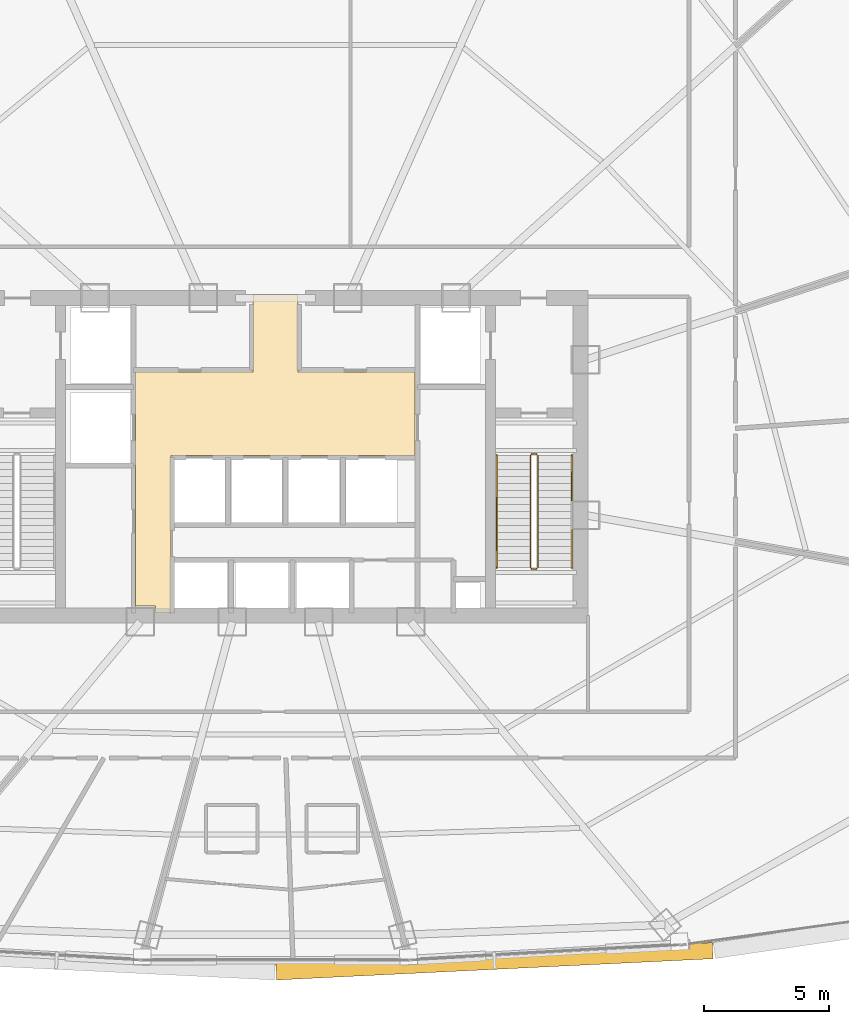
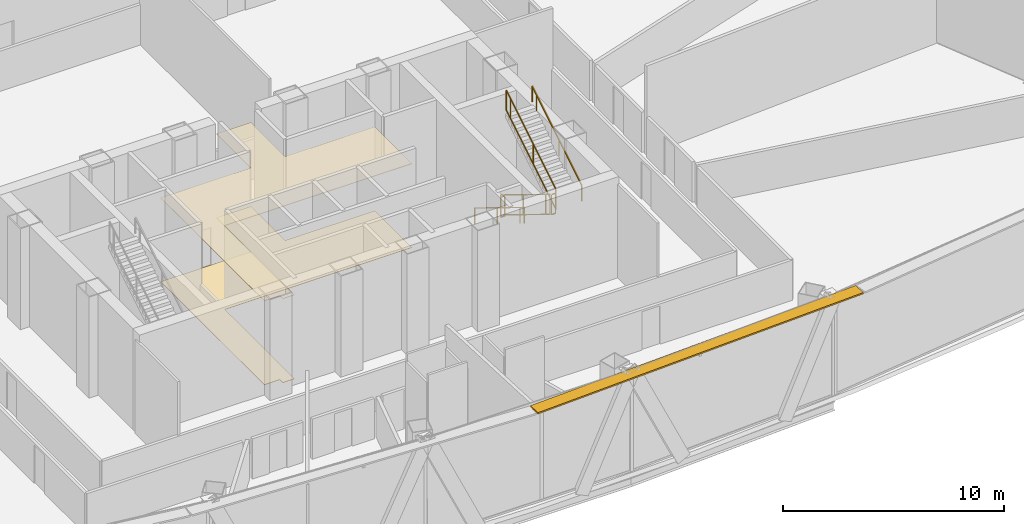
# One storey, part 38 of 40: 6 railings, 2 coverings, 1 shading device.
"""IFC4 building model written with IfcOpenShell, lengths in metres."""

from ifc_helpers import new_model, si_unit, direction, frame, origin, origin_2d, place, context, subcontext, project, spatial, polyline, rectangle, outline, extrude, source, transform, mapped, material, layer, layer_set, type_object, element, save


model = new_model("IFC4")

# Units and contexts
model_context = context("Model", 3, precision=1e-05, world=origin(), true_north=direction((0.0, 1.0)))
body_context = subcontext(model_context, "Body", "Model", "MODEL_VIEW")
ifc_project = project(units=[si_unit("LENGTHUNIT", "METRE"), si_unit("AREAUNIT", "SQUARE_METRE"), si_unit("VOLUMEUNIT", "CUBIC_METRE"), si_unit("PLANEANGLEUNIT", "RADIAN"), si_unit("MASSUNIT", "GRAM", prefix="KILO"), si_unit("THERMODYNAMICTEMPERATUREUNIT", "KELVIN"), si_unit("POWERUNIT", "WATT")], contexts=[model_context])

# Site, building, storey
site_placement = place(None, origin())
site = spatial("IfcSite", under=ifc_project, at=site_placement, CompositionType="ELEMENT")
building_placement = place(site_placement, origin())
building = spatial("IfcBuilding", under=site, at=building_placement, Name="Yunzhuo Pagoda Commons", CompositionType="ELEMENT")
storey_placement = place(building_placement, frame((0.0, 0.0, 170.31005859375)))
storey = spatial("IfcBuildingStorey", under=building, at=storey_placement, Name="L43", CompositionType="ELEMENT", Elevation=170.31005859375)

# Coverings
ifc_material_1 = material(Name="Perforated gypsum acoustic ceiling tile")
ifc_layer_1 = layer(ifc_material_1, 0.030029296875)
ifc_layer_set_1 = layer_set([ifc_layer_1], Name="Perforated gypsum acoustic ceiling tile")
covering_type_1 = type_object("IfcCoveringType", Name="COV-CL2 Ceiling 30", PredefinedType="CEILING", material=ifc_layer_set_1)
covering_1_placement = place(storey_placement, frame((0.0, 0.0, 4.619873046875)))
element("IfcCovering", 1, at=covering_1_placement, inside=storey, type_object=covering_type_1, Name="L43 lift lobby acoustic ceiling", PredefinedType="CEILING", context=body_context, shape_type="SweptSolid", body=[
    extrude(outline(polyline([(43.207763671875, 27.85009765625), (43.201904296875, 27.864013671875), (43.187744140625, 27.8701171875), (42.39990234375, 27.8701171875), (42.39990234375, 33.89990234375), (42.39990234375, 37.25), (47.10009765625, 37.25), (47.10009765625, 40.35009765625), (48.89990234375, 40.35009765625), (48.89990234375, 37.25), (53.580078125, 37.25), (53.580078125, 33.89990234375), (43.820068359375, 33.89990234375), (43.820068359375, 27.60009765625), (43.207763671875, 27.60009765625), (43.207763671875, 27.85009765625)])), origin(), (0.0, 0.0, 1.0), 0.030029296875),
])
ifc_material_2 = material(Name="Porcelain ceramic floor tile")
ifc_layer_2 = layer(ifc_material_2, 0.02001953125)
ifc_layer_set_2 = layer_set([ifc_layer_2], Name="Porcelain ceramic floor tile")
covering_type_2 = type_object("IfcCoveringType", Name="COV-FL1 Flooring 20", PredefinedType="FLOORING", material=ifc_layer_set_2)
covering_2_placement = place(storey_placement, origin())
element("IfcCovering", 2, at=covering_2_placement, inside=storey, type_object=covering_type_2, Name="L43 lift lobby flooring", PredefinedType="FLOORING", context=body_context, shape_type="SweptSolid", body=[
    extrude(outline(polyline([(43.207763671875, 27.85009765625), (43.201904296875, 27.864013671875), (43.187744140625, 27.8701171875), (42.39990234375, 27.8701171875), (42.39990234375, 33.89990234375), (42.39990234375, 37.25), (47.10009765625, 37.25), (47.10009765625, 40.35009765625), (48.89990234375, 40.35009765625), (48.89990234375, 37.25), (53.580078125, 37.25), (53.580078125, 33.89990234375), (43.820068359375, 33.89990234375), (43.820068359375, 27.60009765625), (43.207763671875, 27.60009765625), (43.207763671875, 27.85009765625)])), origin(), (0.0, 0.0, 1.0), 0.02001953125),
])

# Railings
ifc_material_3 = material(Name="Anodized aluminium 6063-T6", Category="aluminium")
railing_type_1 = type_object("IfcRailingType", Name="GR-ST2 Stair Well Guardrail 1160", PredefinedType="GUARDRAIL", material=ifc_material_3)
railing_1_placement = place(storey_placement, frame((58.199951171875, 33.89990234375, 0.172119140625)))
element("IfcRailing", 3, at=railing_1_placement, inside=storey, type_object=railing_type_1, Name="L43 ST2 stair guard 1", PredefinedType="GUARDRAIL", context=body_context, shape_type="SweptSolid", body=[
    extrude(rectangle(XDim=0.048095703125, YDim=0.048095703125, at=origin_2d()), frame((0.0, 0.0, 1.1259765625), z_axis=(0.0, -0.851996104429, 0.523548123899), x_axis=(1.0, 0.0, 0.0)), (0.0, 0.0, 1.0), 5.25830078125),
    extrude(rectangle(XDim=0.048095703125, YDim=0.048095703125, at=origin_2d()), frame((0.0, 0.0, 0.02392578125), z_axis=(0.0, -0.851996104429, 0.523548123899), x_axis=(1.0, 0.0, 0.0)), (0.0, 0.0, 1.0), 5.25830078125),
    extrude(rectangle(XDim=0.0419921875, YDim=0.0419921875, at=origin_2d()), origin(), (0.0, 0.0, 1.0), 1.101806640625),
    extrude(rectangle(XDim=0.0419921875, YDim=0.0419921875, at=origin_2d()), frame((0.0, -2.044677734375, 1.256591796875)), (0.0, 0.0, 1.0), 1.101806640625),
    extrude(rectangle(XDim=0.0419921875, YDim=0.0419921875, at=origin_2d()), frame((0.0, -4.089599609375, 2.512939453125)), (0.0, 0.0, 1.0), 1.101806640625),
    extrude(rectangle(XDim=0.0419921875, YDim=0.0419921875, at=origin_2d()), frame((0.0, -4.47998046875, 2.7529296875)), (0.0, 0.0, 1.0), 1.101806640625),
])
railing_2_placement = place(storey_placement, frame((58.25, 29.3701171875, 2.925048828125)))
element("IfcRailing", 4, at=railing_2_placement, inside=storey, type_object=railing_type_1, Name="L43 ST2 stair guard 2", PredefinedType="GUARDRAIL", context=body_context, shape_type="SweptSolid", body=[
    extrude(rectangle(XDim=0.048095703125, YDim=0.048095703125, at=origin_2d()), frame((0.0, 0.0, 1.1259765625), z_axis=(1.0, 0.0, 0.0), x_axis=(0.0, 1.0, 0.0)), (0.0, 0.0, 1.0), 0.199951171875),
    extrude(rectangle(XDim=0.048095703125, YDim=0.048095703125, at=origin_2d()), frame((0.0, 0.0, 0.02392578125), z_axis=(1.0, 0.0, 0.0), x_axis=(0.0, 1.0, 0.0)), (0.0, 0.0, 1.0), 0.199951171875),
    extrude(rectangle(XDim=0.0419921875, YDim=0.0419921875, at=origin_2d()), origin(), (0.0, 0.0, 1.0), 1.101806640625),
    extrude(rectangle(XDim=0.0419921875, YDim=0.0419921875, at=origin_2d()), frame((0.199951171875, 0.0, 0.0)), (0.0, 0.0, 1.0), 1.101806640625),
])
railing_3_placement = place(storey_placement, frame((58.5, 29.419921875, 3.096923828125)))
element("IfcRailing", 5, at=railing_3_placement, inside=storey, type_object=railing_type_1, Name="L43 ST2 stair guard 3", PredefinedType="GUARDRAIL", context=body_context, shape_type="SweptSolid", body=[
    extrude(rectangle(XDim=0.048095703125, YDim=0.048095703125, at=origin_2d()), frame((0.0, 0.0, 1.1259765625), z_axis=(0.0, 0.851996104429, 0.523548123899), x_axis=(-1.0, 0.0, 0.0)), (0.0, 0.0, 1.0), 5.25830078125),
    extrude(rectangle(XDim=0.048095703125, YDim=0.048095703125, at=origin_2d()), frame((0.0, 0.0, 0.02392578125), z_axis=(0.0, 0.851996104429, 0.523548123899), x_axis=(-1.0, 0.0, 0.0)), (0.0, 0.0, 1.0), 5.25830078125),
    extrude(rectangle(XDim=0.0419921875, YDim=0.0419921875, at=origin_2d()), origin(), (0.0, 0.0, 1.0), 1.101806640625),
    extrude(rectangle(XDim=0.0419921875, YDim=0.0419921875, at=origin_2d()), frame((0.0, 2.044677734375, 1.256591796875)), (0.0, 0.0, 1.0), 1.101806640625),
    extrude(rectangle(XDim=0.0419921875, YDim=0.0419921875, at=origin_2d()), frame((0.0, 4.089599609375, 2.512939453125)), (0.0, 0.0, 1.0), 1.101806640625),
    extrude(rectangle(XDim=0.0419921875, YDim=0.0419921875, at=origin_2d()), frame((0.0, 4.47998046875, 2.7529296875)), (0.0, 0.0, 1.0), 1.101806640625),
])
railing_4_placement = place(storey_placement, frame((58.25, 33.949951171875, 0.0)))
element("IfcRailing", 6, at=railing_4_placement, inside=storey, type_object=railing_type_1, Name="L43 ST2 stair guard 4", PredefinedType="GUARDRAIL", context=body_context, shape_type="SweptSolid", body=[
    extrude(rectangle(XDim=0.048095703125, YDim=0.048095703125, at=origin_2d()), frame((0.0, 0.0, 1.1259765625), z_axis=(1.0, 0.0, 0.0), x_axis=(0.0, 1.0, 0.0)), (0.0, 0.0, 1.0), 0.199951171875),
    extrude(rectangle(XDim=0.048095703125, YDim=0.048095703125, at=origin_2d()), frame((0.0, 0.0, 0.02392578125), z_axis=(1.0, 0.0, 0.0), x_axis=(0.0, 1.0, 0.0)), (0.0, 0.0, 1.0), 0.199951171875),
    extrude(rectangle(XDim=0.0419921875, YDim=0.0419921875, at=origin_2d()), origin(), (0.0, 0.0, 1.0), 1.101806640625),
    extrude(rectangle(XDim=0.0419921875, YDim=0.0419921875, at=origin_2d()), frame((0.199951171875, 0.0, 0.0)), (0.0, 0.0, 1.0), 1.101806640625),
])
railing_type_2 = type_object("IfcRailingType", Name="HR-ST2 Stair Handrail 900", PredefinedType="HANDRAIL", material=ifc_material_3)
railing_5_placement = place(storey_placement, frame((56.85009765625, 33.89990234375, 0.172119140625)))
element("IfcRailing", 7, at=railing_5_placement, inside=storey, type_object=railing_type_2, Name="L43 ST2 stair handrail 1", PredefinedType="HANDRAIL", context=body_context, shape_type="SweptSolid", body=[
    extrude(rectangle(XDim=0.048095703125, YDim=0.048095703125, at=origin_2d()), frame((0.0, 0.0, 0.8759765625), z_axis=(0.0, -0.851996104429, 0.523548123899), x_axis=(1.0, 0.0, 0.0)), (0.0, 0.0, 1.0), 5.25830078125),
    extrude(rectangle(XDim=0.0419921875, YDim=0.0419921875, at=origin_2d()), origin(), (0.0, 0.0, 1.0), 0.851806640625),
    extrude(rectangle(XDim=0.0419921875, YDim=0.0419921875, at=origin_2d()), frame((0.0, -2.044677734375, 1.256591796875)), (0.0, 0.0, 1.0), 0.851806640625),
    extrude(rectangle(XDim=0.0419921875, YDim=0.0419921875, at=origin_2d()), frame((0.0, -4.089599609375, 2.512939453125)), (0.0, 0.0, 1.0), 0.851806640625),
    extrude(rectangle(XDim=0.0419921875, YDim=0.0419921875, at=origin_2d()), frame((0.0, -4.47998046875, 2.7529296875)), (0.0, 0.0, 1.0), 0.851806640625),
])
railing_6_placement = place(storey_placement, frame((59.85009765625, 29.419921875, 3.096923828125)))
element("IfcRailing", 8, at=railing_6_placement, inside=storey, type_object=railing_type_2, Name="L43 ST2 stair handrail 2", PredefinedType="HANDRAIL", context=body_context, shape_type="SweptSolid", body=[
    extrude(rectangle(XDim=0.048095703125, YDim=0.048095703125, at=origin_2d()), frame((0.0, 0.0, 0.8759765625), z_axis=(0.0, 0.851996104429, 0.523548123899), x_axis=(-1.0, 0.0, 0.0)), (0.0, 0.0, 1.0), 5.25830078125),
    extrude(rectangle(XDim=0.0419921875, YDim=0.0419921875, at=origin_2d()), origin(), (0.0, 0.0, 1.0), 0.851806640625),
    extrude(rectangle(XDim=0.0419921875, YDim=0.0419921875, at=origin_2d()), frame((0.0, 2.044677734375, 1.256591796875)), (0.0, 0.0, 1.0), 0.851806640625),
    extrude(rectangle(XDim=0.0419921875, YDim=0.0419921875, at=origin_2d()), frame((0.0, 4.089599609375, 2.512939453125)), (0.0, 0.0, 1.0), 0.851806640625),
    extrude(rectangle(XDim=0.0419921875, YDim=0.0419921875, at=origin_2d()), frame((0.0, 4.47998046875, 2.7529296875)), (0.0, 0.0, 1.0), 0.851806640625),
])

# Shading device
ifc_layer_3 = layer(ifc_material_3, 0.080078125)
ifc_layer_set_3 = layer_set([ifc_layer_3], Name="Anodized aluminium 6063-T6")
shading_device_type = type_object("IfcShadingDeviceType", Name="SH-SUN1 Pagoda Horizontal Sunshade Eave 650", PredefinedType="USERDEFINED", material=ifc_layer_set_3)
shared_shape = source(origin(), body_context, "Body", "SweptSolid", [
    extrude(rectangle(XDim=17.481201171875, YDim=0.64990234375, at=origin_2d()), origin(), (0.0, 0.0, 1.0), 0.080078125),
])
shading_device_placement = place(storey_placement, frame((56.761962890625, 13.665771484375, 5.489990234375), z_axis=(0.0, 0.0, 1.0), x_axis=(0.998818043775, 0.04860571396, 0.0)))
element("IfcShadingDevice", 9, at=shading_device_placement, inside=storey, type_object=shading_device_type, Name="L43 horizontal pagoda sunshade eave F1.3", ObjectType="SUNSHADE", PredefinedType="USERDEFINED", context=body_context, shape_type="MappedRepresentation", body=[
    mapped(shared_shape, transform((0.0, 0.0, 0.0), scale=1.0)),
])

save(model, "model.ifc")
